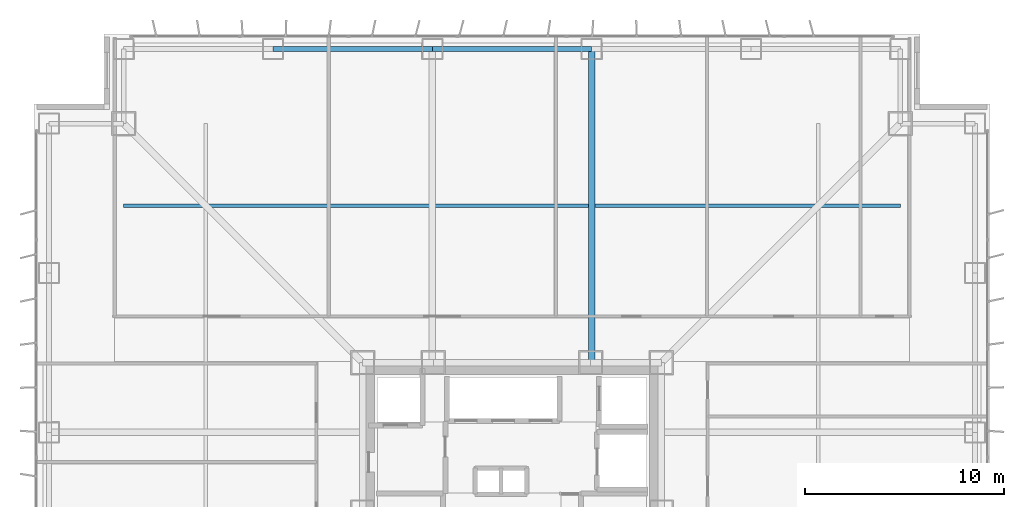
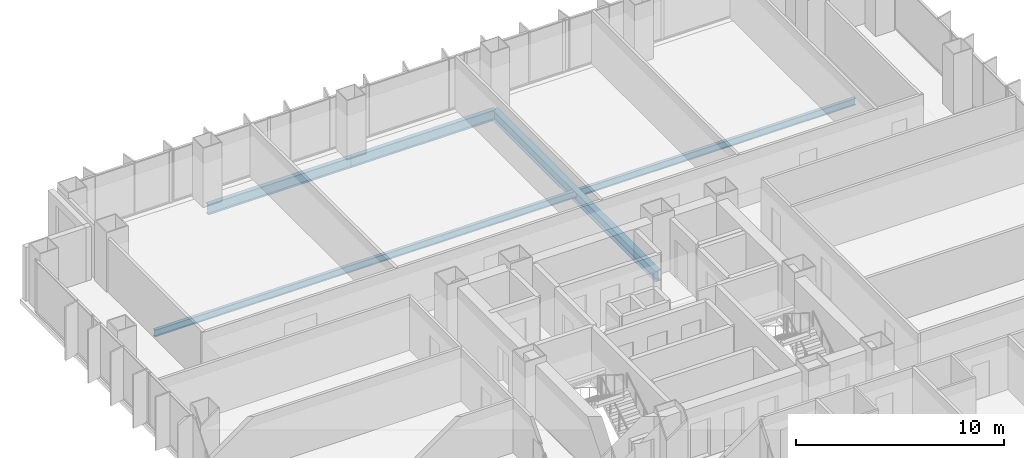
# One storey, part 10 of 19: 4 beams.
"""IFC4 building model written with IfcOpenShell, lengths in metres."""

from ifc_helpers import new_model, si_unit, direction, frame, origin, origin_2d, place, context, subcontext, project, spatial, i_section, extrude, material, material_profile, profile_set, type_object, element, save


model = new_model("IFC4")

# Units and contexts
model_context = context("Model", 3, precision=1e-05, world=origin(), true_north=direction((0.0, 1.0)))
body_context = subcontext(model_context, "Body", "Model", "MODEL_VIEW")
ifc_project = project(units=[si_unit("LENGTHUNIT", "METRE"), si_unit("AREAUNIT", "SQUARE_METRE"), si_unit("VOLUMEUNIT", "CUBIC_METRE"), si_unit("PLANEANGLEUNIT", "RADIAN"), si_unit("MASSUNIT", "GRAM", prefix="KILO")], contexts=[model_context])

# Site, building, storey
site_placement = place(None, origin())
site = spatial("IfcSite", under=ifc_project, at=site_placement, CompositionType="ELEMENT")
building_placement = place(site_placement, origin())
building = spatial("IfcBuilding", under=site, at=building_placement, Name="Trevonay Congress Spire", CompositionType="ELEMENT")
storey_placement = place(building_placement, frame((0.0, 0.0, 79.5)))
storey = spatial("IfcBuildingStorey", under=building, at=storey_placement, Name="L20", CompositionType="ELEMENT", Elevation=79.5)

# Beams
ifc_material = material(Name="Steel ASTM A572 Grade 50", Category="steel")
ifc_material_profile_1 = material_profile(ifc_material, i_section(OverallWidth=0.324951171875, OverallDepth=0.615966796875, WebThickness=0.013916015625, FlangeThickness=0.021484375, FilletRadius=0.01806640625, at=origin_2d()), Name="W610x174")
ifc_profile_set_1 = profile_set([ifc_material_profile_1], Name="Steel ASTM A572 Grade 50")
beam_type_1 = type_object("IfcBeamType", Name="BM-GIRD-W610X174", PredefinedType="BEAM", material=ifc_profile_set_1)
beam_1_placement = place(storey_placement, frame((4.0, 7.5, -0.55810546875), z_axis=(0.0, 1.0, 0.0), x_axis=(-1.0, 0.0, 0.0)))
element("IfcBeam", 1, at=beam_1_placement, inside=storey, type_object=beam_type_1, Name="L20 structural beam BM-L20-GN-P", PredefinedType="BEAM", context=body_context, shape_type="SweptSolid", body=[
    extrude(i_section(OverallWidth=0.324951171875, OverallDepth=0.615966796875, WebThickness=0.013916015625, FlangeThickness=0.021484375, FilletRadius=0.01806640625, at=origin_2d()), origin(), (0.0, 0.0, 1.0), 15.75),
])
ifc_material_profile_2 = material_profile(ifc_material, i_section(OverallWidth=0.22998046875, OverallDepth=0.616943359375, WebThickness=0.01318359375, FlangeThickness=0.022216796875, FilletRadius=0.01611328125, at=origin_2d()), Name="W610x140")
ifc_profile_set_2 = profile_set([ifc_material_profile_2], Name="Steel ASTM A572 Grade 50")
beam_type_2 = type_object("IfcBeamType", Name="BM-RING-W610X140", PredefinedType="BEAM", material=ifc_profile_set_2)
for number, where, z_axis, x_axis, name in (
    (2, (-12.0, 23.25, -0.55859375), (1.0, 0.0, 0.0), (0.0, 1.0, 0.0), "L20 structural beam BM-L20-PN2"),
    (3, (-4.0, 23.25, -0.55859375), (1.0, 0.0, 0.0), (0.0, 1.0, 0.0), "L20 structural beam BM-L20-PN3"),
):
    element("IfcBeam", number, at=place(storey_placement, frame(where, z_axis=z_axis, x_axis=x_axis)), inside=storey, type_object=beam_type_2, Name=name, PredefinedType="BEAM", context=body_context, shape_type="SweptSolid", body=[
        extrude(i_section(OverallWidth=0.22998046875, OverallDepth=0.616943359375, WebThickness=0.01318359375, FlangeThickness=0.022216796875, FilletRadius=0.01611328125, at=origin_2d()), origin(), (0.0, 0.0, 1.0), 8.0),
    ])
ifc_material_profile_3 = material_profile(ifc_material, i_section(OverallWidth=0.177978515625, OverallDepth=0.406982421875, WebThickness=0.0078125, FlangeThickness=0.0126953125, FilletRadius=0.012939453125, at=origin_2d()), Name="W410x60")
ifc_profile_set_3 = profile_set([ifc_material_profile_3], Name="Steel ASTM A572 Grade 50")
beam_type_3 = type_object("IfcBeamType", Name="JS-COMP-W410X60", PredefinedType="JOIST", material=ifc_profile_set_3)
beam_2_placement = place(storey_placement, frame((-19.5, 15.375, -0.45361328125), z_axis=(1.0, 0.0, 0.0), x_axis=(0.0, 1.0, 0.0)))
element("IfcBeam", 4, at=beam_2_placement, inside=storey, type_object=beam_type_3, Name="L20 structural beam JS-L20-RING-N", PredefinedType="JOIST", context=body_context, shape_type="SweptSolid", body=[
    extrude(i_section(OverallWidth=0.177978515625, OverallDepth=0.406982421875, WebThickness=0.0078125, FlangeThickness=0.0126953125, FilletRadius=0.012939453125, at=origin_2d()), origin(), (0.0, 0.0, 1.0), 39.0),
])

save(model, "model.ifc")
